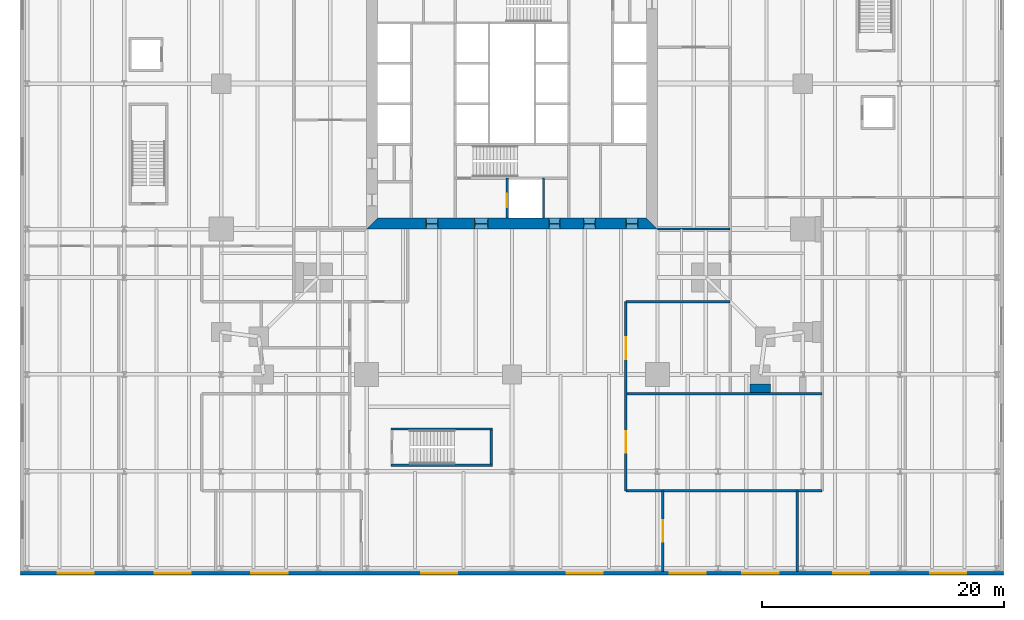
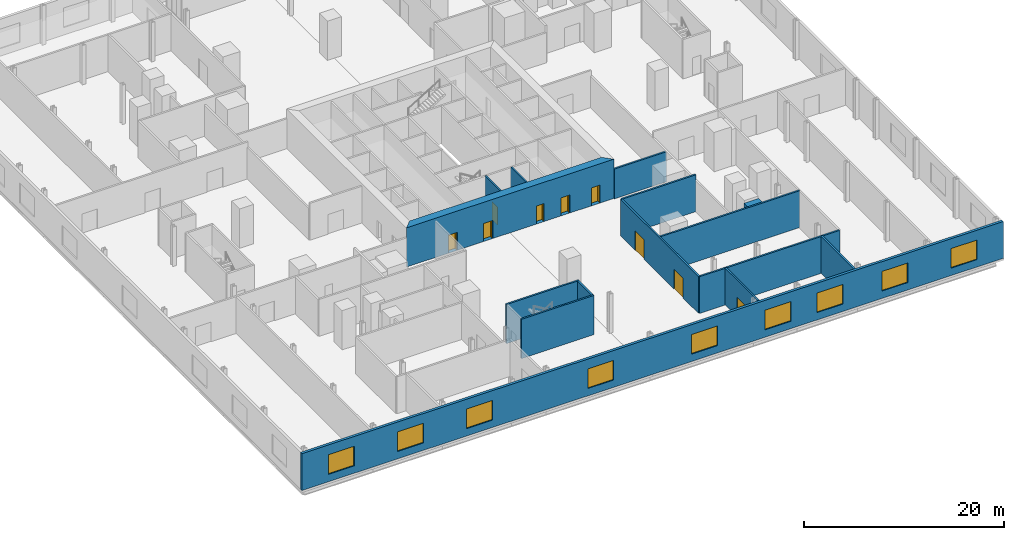
# One storey, part 9 of 16: 15 walls, 9 doors, 9 windows, 18 openings.
"""IFC4 building model written with IfcOpenShell, lengths in metres."""

from ifc_helpers import new_model, si_unit, direction, frame, frame_2d, origin, place, context, subcontext, project, spatial, polyline, rectangle, outline, extrude, material, layer, layer_set, type_object, element, fill, save


model = new_model("IFC4")

# Units and contexts
model_context = context("Model", 3, precision=1e-05, world=origin(), true_north=direction((0.0, 1.0)))
body_context = subcontext(model_context, "Body", "Model", "MODEL_VIEW")
ifc_project = project(units=[si_unit("LENGTHUNIT", "METRE"), si_unit("AREAUNIT", "SQUARE_METRE"), si_unit("VOLUMEUNIT", "CUBIC_METRE"), si_unit("PLANEANGLEUNIT", "RADIAN"), si_unit("MASSUNIT", "GRAM", prefix="KILO")], contexts=[model_context])

# Site, building, storey
site_placement = place(None, origin())
site = spatial("IfcSite", under=ifc_project, at=site_placement, CompositionType="ELEMENT")
building_placement = place(site_placement, origin())
building = spatial("IfcBuilding", under=site, at=building_placement, Name="Fenwick Lantern Interchange", CompositionType="ELEMENT")
storey_placement = place(building_placement, frame((0.0, 0.0, 7.0)))
storey = spatial("IfcBuildingStorey", under=building, at=storey_placement, Name="L01", CompositionType="ELEMENT", Elevation=7.0)

# Wall
ifc_material_1 = material(Name="Fire-rated gypsum board encasement on steel studs, 2 hour", Category="steel")
ifc_layer_1 = layer(ifc_material_1, 1.699951171875)
ifc_layer_set_1 = layer_set([ifc_layer_1], Name="COLUMN PIER 1700")
wall_type_1 = type_object("IfcWallType", Name="COLUMN PIER 1700", PredefinedType="PARTITIONING", material=ifc_layer_set_1)
wall_1_placement = place(storey_placement, frame((45.5, -0.5, 0.0), z_axis=(0.0, 0.0, 1.0), x_axis=(0.0, 1.0, 0.0)))
element("IfcWall", 1, at=wall_1_placement, inside=storey, type_object=wall_type_1, Name="L01/W/PIER/CS5", PredefinedType="PARTITIONING", context=body_context, shape_type="SweptSolid", body=[
    extrude(rectangle(XDim=0.699951171875, YDim=1.699951171875, at=frame_2d((0.35009765625, 0.0))), origin(), (0.0, 0.0, 1.0), 4.5),
])

# Wall, opening, door
ifc_material_2 = material(Name="Concrete masonry ASTM C90 Grade N", Category="masonry")
ifc_layer_2 = layer(ifc_material_2, 0.199951171875)
ifc_layer_set_2 = layer_set([ifc_layer_2], Name="Concrete masonry ASTM C90 Grade N")
wall_type_2 = type_object("IfcWallType", Name="CORE PARTITION 200", PredefinedType="PARTITIONING", material=ifc_layer_set_2)
wall_2_placement = place(storey_placement, frame((24.60009765625, 13.89990234375, 0.0), z_axis=(0.0, 0.0, 1.0), x_axis=(0.0, 1.0, 0.0)))
wall_2 = element("IfcWall", 2, at=wall_2_placement, inside=storey, type_object=wall_type_2, Name="L01/W/CORES/h1", PredefinedType="PARTITIONING", context=body_context, shape_type="SweptSolid", body=[
    extrude(rectangle(XDim=3.300048828125, YDim=0.199951171875, at=frame_2d((1.64990234375, 0.0))), origin(), (0.0, 0.0, 1.0), 4.60009765625),
])
opening_1_placement = place(wall_2_placement, frame((0.89990234375, 0.0, 0.0)))
opening_1 = element("IfcOpeningElement", 3, at=opening_1_placement, cuts=wall_2, Name="Opening LD-FL1", PredefinedType="OPENING", context=body_context, shape_type="SweptSolid", body=[
    extrude(rectangle(XDim=1.10009765625, YDim=2.199951171875, at=frame_2d((0.550048828125, 1.10009765625))), frame((0.0, 0.10986328125, 0.0), z_axis=(0.0, -1.0, 0.0), x_axis=(1.0, 0.0, 0.0)), (0.0, 0.0, 1.0), 0.219970703125),
])
ifc_material_3 = material(Name="Steel door and frame", Category="steel")
door_type_1 = type_object("IfcDoorType", Name="LIFT LANDING DOOR 1100 X 2200", OperationType="DOUBLE_DOOR_SLIDING", PredefinedType="DOOR", material=ifc_material_3)
door_1_placement = place(opening_1_placement, origin())
door_1 = element("IfcDoor", 4, at=door_1_placement, inside=storey, type_object=door_type_1, Name="Lift landing door FL1", OperationType="DOUBLE_DOOR_SLIDING", OverallHeight=2.199951171875, OverallWidth=1.10009765625, PredefinedType="DOOR", context=body_context, shape_type="SweptSolid", body=[
    extrude(rectangle(XDim=1.10009765625, YDim=2.199951171875, at=frame_2d((0.550048828125, 1.10009765625))), frame((0.0, 0.02490234375, 0.0), z_axis=(0.0, -1.0, 0.0), x_axis=(1.0, 0.0, 0.0)), (0.0, 0.0, 1.0), 0.050048828125),
])
fill(opening_1, door_1)

# Wall
wall_3_placement = place(storey_placement, frame((27.60009765625, 13.89990234375, 0.0), z_axis=(0.0, 0.0, 1.0), x_axis=(0.0, 1.0, 0.0)))
element("IfcWall", 5, at=wall_3_placement, inside=storey, type_object=wall_type_2, Name="L01/W/CORES/h2", PredefinedType="PARTITIONING", context=body_context, shape_type="SweptSolid", body=[
    extrude(rectangle(XDim=3.300048828125, YDim=0.199951171875, at=frame_2d((1.64990234375, 0.0))), origin(), (0.0, 0.0, 1.0), 4.60009765625),
])

# Wall, openings, doors
ifc_material_4 = material(Name="Concrete f'c 70 MPa", Category="concrete")
ifc_layer_3 = layer(ifc_material_4, 0.89990234375)
ifc_layer_set_3 = layer_set([ifc_layer_3], Name="CORE WALL 900")
wall_type_3 = type_object("IfcWallType", Name="CORE WALL 900", PredefinedType="SHEAR", material=ifc_layer_set_3)
wall_4_placement = place(storey_placement, frame((13.0, 13.449951171875, 0.0), z_axis=(0.0, 0.0, 1.0), x_axis=(1.0, 0.0, 0.0)))
wall_4 = element("IfcWall", 6, at=wall_4_placement, inside=storey, type_object=wall_type_3, Name="L01/CORE/S", PredefinedType="SHEAR", context=body_context, shape_type="SweptSolid", body=[
    extrude(outline(polyline([(0.0, -0.449951171875), (24.0, -0.449951171875), (23.10009765625, 0.449951171875), (0.89990234375, 0.449951171875), (0.0, -0.449951171875)])), origin(), (0.0, 0.0, 1.0), 4.800048828125),
])
opening_2_placement = place(wall_4_placement, frame((4.89990234375, 0.0, 0.0)))
opening_2 = element("IfcOpeningElement", 7, at=opening_2_placement, cuts=wall_4, Name="Opening L01-D001", PredefinedType="OPENING", context=body_context, shape_type="SweptSolid", body=[
    extrude(rectangle(XDim=1.0, YDim=2.199951171875, at=frame_2d((0.5, 1.10009765625))), frame((0.0, 0.4599609375, 0.0), z_axis=(0.0, -1.0, 0.0), x_axis=(1.0, 0.0, 0.0)), (0.0, 0.0, 1.0), 0.919921875),
])
opening_3_placement = place(wall_4_placement, frame((8.89990234375, 0.0, 0.0)))
opening_3 = element("IfcOpeningElement", 8, at=opening_3_placement, cuts=wall_4, Name="Opening L01-D002", PredefinedType="OPENING", context=body_context, shape_type="SweptSolid", body=[
    extrude(rectangle(XDim=1.10009765625, YDim=2.199951171875, at=frame_2d((0.550048828125, 1.10009765625))), frame((0.0, 0.4599609375, 0.0), z_axis=(0.0, -1.0, 0.0), x_axis=(1.0, 0.0, 0.0)), (0.0, 0.0, 1.0), 0.919921875),
])
opening_4_placement = place(wall_4_placement, frame((15.050048828125, 0.0, 0.0)))
opening_4 = element("IfcOpeningElement", 9, at=opening_4_placement, cuts=wall_4, Name="Opening L01-D004", PredefinedType="OPENING", context=body_context, shape_type="SweptSolid", body=[
    extrude(rectangle(XDim=0.89990234375, YDim=2.199951171875, at=frame_2d((0.449951171875, 1.10009765625))), frame((0.0, 0.4599609375, 0.0), z_axis=(0.0, -1.0, 0.0), x_axis=(1.0, 0.0, 0.0)), (0.0, 0.0, 1.0), 0.919921875),
])
opening_5_placement = place(wall_4_placement, frame((17.89990234375, 0.0, 0.0)))
opening_5 = element("IfcOpeningElement", 10, at=opening_5_placement, cuts=wall_4, Name="Opening L01-D005", PredefinedType="OPENING", context=body_context, shape_type="SweptSolid", body=[
    extrude(rectangle(XDim=1.0, YDim=2.199951171875, at=frame_2d((0.5, 1.10009765625))), frame((0.0, 0.4599609375, 0.0), z_axis=(0.0, -1.0, 0.0), x_axis=(1.0, 0.0, 0.0)), (0.0, 0.0, 1.0), 0.919921875),
])
opening_6_placement = place(wall_4_placement, frame((21.39990234375, 0.0, 0.0)))
opening_6 = element("IfcOpeningElement", 11, at=opening_6_placement, cuts=wall_4, Name="Opening L01-D006", PredefinedType="OPENING", context=body_context, shape_type="SweptSolid", body=[
    extrude(rectangle(XDim=1.0, YDim=2.199951171875, at=frame_2d((0.5, 1.10009765625))), frame((0.0, 0.4599609375, 0.0), z_axis=(0.0, -1.0, 0.0), x_axis=(1.0, 0.0, 0.0)), (0.0, 0.0, 1.0), 0.919921875),
])
door_type_2 = type_object("IfcDoorType", Name="CORE LOBBY DOOR 1000 X 2200", OperationType="SINGLE_SWING_LEFT", PredefinedType="DOOR", material=ifc_material_3)
door_2_placement = place(opening_2_placement, origin())
door_2 = element("IfcDoor", 12, at=door_2_placement, inside=storey, type_object=door_type_2, Name="Core lobby door", OperationType="SINGLE_SWING_LEFT", OverallHeight=2.199951171875, OverallWidth=1.0, PredefinedType="DOOR", context=body_context, shape_type="SweptSolid", body=[
    extrude(rectangle(XDim=1.0, YDim=2.199951171875, at=frame_2d((0.5, 1.10009765625))), frame((0.0, 0.02490234375, 0.0), z_axis=(0.0, -1.0, 0.0), x_axis=(1.0, 0.0, 0.0)), (0.0, 0.0, 1.0), 0.050048828125),
    extrude(outline(polyline([(0.0, 0.0), (0.0400390625, 0.0), (0.0400390625, 2.159912109375), (0.9599609375, 2.159912109375), (0.9599609375, 0.0), (1.0, 0.0), (1.0, 2.199951171875), (0.0, 2.199951171875), (0.0, 0.0)])), frame((0.0, 0.300048828125, 0.0), z_axis=(0.0, -1.0, 0.0), x_axis=(1.0, 0.0, 0.0)), (0.0, 0.0, 1.0), 0.60009765625),
])
fill(opening_2, door_2)
door_type_3 = type_object("IfcDoorType", Name="FIRE LOBBY DOOR 1100 X 2200", OperationType="SINGLE_SWING_LEFT", PredefinedType="DOOR", material=ifc_material_3)
door_3_placement = place(opening_3_placement, origin())
door_3 = element("IfcDoor", 13, at=door_3_placement, inside=storey, type_object=door_type_3, Name="Fire lobby door", OperationType="SINGLE_SWING_LEFT", OverallHeight=2.199951171875, OverallWidth=1.10009765625, PredefinedType="DOOR", context=body_context, shape_type="SweptSolid", body=[
    extrude(rectangle(XDim=1.10009765625, YDim=2.199951171875, at=frame_2d((0.550048828125, 1.10009765625))), frame((0.0, 0.02490234375, 0.0), z_axis=(0.0, -1.0, 0.0), x_axis=(1.0, 0.0, 0.0)), (0.0, 0.0, 1.0), 0.050048828125),
    extrude(outline(polyline([(0.0, 0.0), (0.0400390625, 0.0), (0.0400390625, 2.159912109375), (1.06005859375, 2.159912109375), (1.06005859375, 0.0), (1.10009765625, 0.0), (1.10009765625, 2.199951171875), (0.0, 2.199951171875), (0.0, 0.0)])), frame((0.0, 0.300048828125, 0.0), z_axis=(0.0, -1.0, 0.0), x_axis=(1.0, 0.0, 0.0)), (0.0, 0.0, 1.0), 0.60009765625),
])
fill(opening_3, door_3)
door_type_4 = type_object("IfcDoorType", Name="SERVICE DOOR 900 X 2200", OperationType="SINGLE_SWING_LEFT", PredefinedType="DOOR", material=ifc_material_3)
door_4_placement = place(opening_4_placement, origin())
door_4 = element("IfcDoor", 14, at=door_4_placement, inside=storey, type_object=door_type_4, Name="Service door", OperationType="SINGLE_SWING_LEFT", OverallHeight=2.199951171875, OverallWidth=0.89990234375, PredefinedType="DOOR", context=body_context, shape_type="SweptSolid", body=[
    extrude(rectangle(XDim=0.89990234375, YDim=2.199951171875, at=frame_2d((0.449951171875, 1.10009765625))), frame((0.0, 0.02490234375, 0.0), z_axis=(0.0, -1.0, 0.0), x_axis=(1.0, 0.0, 0.0)), (0.0, 0.0, 1.0), 0.050048828125),
    extrude(outline(polyline([(0.0, 0.0), (0.0400390625, 0.0), (0.0400390625, 2.159912109375), (0.85986328125, 2.159912109375), (0.85986328125, 0.0), (0.89990234375, 0.0), (0.89990234375, 2.199951171875), (0.0, 2.199951171875), (0.0, 0.0)])), frame((0.0, 0.300048828125, 0.0), z_axis=(0.0, -1.0, 0.0), x_axis=(1.0, 0.0, 0.0)), (0.0, 0.0, 1.0), 0.60009765625),
])
fill(opening_4, door_4)
ifc_material_5 = material(Name="Hardwood door and steel frame", Category="steel")
door_type_5 = type_object("IfcDoorType", Name="WC DOOR 1000 X 2200", OperationType="SINGLE_SWING_LEFT", PredefinedType="DOOR", material=ifc_material_5)
door_5_placement = place(opening_5_placement, origin())
door_5 = element("IfcDoor", 15, at=door_5_placement, inside=storey, type_object=door_type_5, Name="Wc door", OperationType="SINGLE_SWING_RIGHT", OverallHeight=2.199951171875, OverallWidth=1.0, PredefinedType="DOOR", context=body_context, shape_type="SweptSolid", body=[
    extrude(rectangle(XDim=1.0, YDim=2.199951171875, at=frame_2d((0.5, 1.10009765625))), frame((0.0, 0.02490234375, 0.0), z_axis=(0.0, -1.0, 0.0), x_axis=(1.0, 0.0, 0.0)), (0.0, 0.0, 1.0), 0.050048828125),
    extrude(outline(polyline([(0.0, 0.0), (0.0400390625, 0.0), (0.0400390625, 2.159912109375), (0.9599609375, 2.159912109375), (0.9599609375, 0.0), (1.0, 0.0), (1.0, 2.199951171875), (0.0, 2.199951171875), (0.0, 0.0)])), frame((0.0, 0.300048828125, 0.0), z_axis=(0.0, -1.0, 0.0), x_axis=(1.0, 0.0, 0.0)), (0.0, 0.0, 1.0), 0.60009765625),
])
fill(opening_5, door_5)
door_6_placement = place(opening_6_placement, origin())
door_6 = element("IfcDoor", 16, at=door_6_placement, inside=storey, type_object=door_type_5, Name="Wc door", OperationType="SINGLE_SWING_RIGHT", OverallHeight=2.199951171875, OverallWidth=1.0, PredefinedType="DOOR", context=body_context, shape_type="SweptSolid", body=[
    extrude(rectangle(XDim=1.0, YDim=2.199951171875, at=frame_2d((0.5, 1.10009765625))), frame((0.0, 0.02490234375, 0.0), z_axis=(0.0, -1.0, 0.0), x_axis=(1.0, 0.0, 0.0)), (0.0, 0.0, 1.0), 0.050048828125),
    extrude(outline(polyline([(0.0, 0.0), (0.0400390625, 0.0), (0.0400390625, 2.159912109375), (0.9599609375, 2.159912109375), (0.9599609375, 0.0), (1.0, 0.0), (1.0, 2.199951171875), (0.0, 2.199951171875), (0.0, 0.0)])), frame((0.0, 0.300048828125, 0.0), z_axis=(0.0, -1.0, 0.0), x_axis=(1.0, 0.0, 0.0)), (0.0, 0.0, 1.0), 0.60009765625),
])
fill(opening_6, door_6)

# Wall, openings, windows
ifc_material_6 = material(Name="Limestone ASTM C568 Classification II", Category="masonry")
ifc_layer_4 = layer(ifc_material_6, 0.074951171875)
ifc_material_7 = material(Name="Mineral wool insulation")
ifc_layer_5 = layer(ifc_material_7, 0.125)
ifc_material_8 = material(Name="Cold-formed galvanised steel studs", Category="steel")
ifc_layer_6 = layer(ifc_material_8, 0.10009765625)
ifc_layer_set_4 = layer_set([ifc_layer_4, ifc_layer_5, ifc_layer_6], Name="Limestone ASTM C568 Classification II")
wall_type_4 = type_object("IfcWallType", Name="LIMESTONE RAINSCREEN WALL 300", PredefinedType="SOLIDWALL", material=ifc_layer_set_4)
wall_5_placement = place(storey_placement, frame((-15.550048828125, -15.39990234375, 0.0), z_axis=(0.0, 0.0, 1.0), x_axis=(1.0, 0.0, 0.0)))
wall_5 = element("IfcWall", 17, at=wall_5_placement, inside=storey, type_object=wall_type_4, Name="L01/EW/S", PredefinedType="SOLIDWALL", context=body_context, shape_type="SweptSolid", body=[
    extrude(rectangle(XDim=81.10009765625, YDim=0.300048828125, at=frame_2d((40.550048828125, 0.0))), origin(), (0.0, 0.0, 1.0), 4.5),
])
opening_7_placement = place(wall_5_placement, frame((3.050048828125, 0.0, 0.89990234375)))
opening_7 = element("IfcOpeningElement", 18, at=opening_7_placement, cuts=wall_5, Name="Opening W1", PredefinedType="OPENING", context=body_context, shape_type="SweptSolid", body=[
    extrude(rectangle(XDim=3.0, YDim=2.39990234375, at=frame_2d((1.5, 1.199951171875))), frame((0.0, 0.159912109375, 0.0), z_axis=(0.0, -1.0, 0.0), x_axis=(1.0, 0.0, 0.0)), (0.0, 0.0, 1.0), 0.320068359375),
])
opening_8_placement = place(wall_5_placement, frame((11.050048828125, 0.0, 0.89990234375)))
opening_8 = element("IfcOpeningElement", 19, at=opening_8_placement, cuts=wall_5, Name="Opening W1", PredefinedType="OPENING", context=body_context, shape_type="SweptSolid", body=[
    extrude(rectangle(XDim=3.0, YDim=2.39990234375, at=frame_2d((1.5, 1.199951171875))), frame((0.0, 0.159912109375, 0.0), z_axis=(0.0, -1.0, 0.0), x_axis=(1.0, 0.0, 0.0)), (0.0, 0.0, 1.0), 0.320068359375),
])
opening_9_placement = place(wall_5_placement, frame((19.050048828125, 0.0, 0.89990234375)))
opening_9 = element("IfcOpeningElement", 20, at=opening_9_placement, cuts=wall_5, Name="Opening W1", PredefinedType="OPENING", context=body_context, shape_type="SweptSolid", body=[
    extrude(rectangle(XDim=3.0, YDim=2.39990234375, at=frame_2d((1.5, 1.199951171875))), frame((0.0, 0.159912109375, 0.0), z_axis=(0.0, -1.0, 0.0), x_axis=(1.0, 0.0, 0.0)), (0.0, 0.0, 1.0), 0.320068359375),
])
opening_10_placement = place(wall_5_placement, frame((33.050048828125, 0.0, 0.89990234375)))
opening_10 = element("IfcOpeningElement", 21, at=opening_10_placement, cuts=wall_5, Name="Opening W1", PredefinedType="OPENING", context=body_context, shape_type="SweptSolid", body=[
    extrude(rectangle(XDim=3.0, YDim=2.39990234375, at=frame_2d((1.5, 1.199951171875))), frame((0.0, 0.159912109375, 0.0), z_axis=(0.0, -1.0, 0.0), x_axis=(1.0, 0.0, 0.0)), (0.0, 0.0, 1.0), 0.320068359375),
])
opening_11_placement = place(wall_5_placement, frame((45.050048828125, 0.0, 0.89990234375)))
opening_11 = element("IfcOpeningElement", 22, at=opening_11_placement, cuts=wall_5, Name="Opening W1", PredefinedType="OPENING", context=body_context, shape_type="SweptSolid", body=[
    extrude(rectangle(XDim=3.0, YDim=2.39990234375, at=frame_2d((1.5, 1.199951171875))), frame((0.0, 0.159912109375, 0.0), z_axis=(0.0, -1.0, 0.0), x_axis=(1.0, 0.0, 0.0)), (0.0, 0.0, 1.0), 0.320068359375),
])
opening_12_placement = place(wall_5_placement, frame((53.550048828125, 0.0, 0.89990234375)))
opening_12 = element("IfcOpeningElement", 23, at=opening_12_placement, cuts=wall_5, Name="Opening W1", PredefinedType="OPENING", context=body_context, shape_type="SweptSolid", body=[
    extrude(rectangle(XDim=3.0, YDim=2.39990234375, at=frame_2d((1.5, 1.199951171875))), frame((0.0, 0.159912109375, 0.0), z_axis=(0.0, -1.0, 0.0), x_axis=(1.0, 0.0, 0.0)), (0.0, 0.0, 1.0), 0.320068359375),
])
opening_13_placement = place(wall_5_placement, frame((59.550048828125, 0.0, 0.89990234375)))
opening_13 = element("IfcOpeningElement", 24, at=opening_13_placement, cuts=wall_5, Name="Opening W1", PredefinedType="OPENING", context=body_context, shape_type="SweptSolid", body=[
    extrude(rectangle(XDim=3.0, YDim=2.39990234375, at=frame_2d((1.5, 1.199951171875))), frame((0.0, 0.159912109375, 0.0), z_axis=(0.0, -1.0, 0.0), x_axis=(1.0, 0.0, 0.0)), (0.0, 0.0, 1.0), 0.320068359375),
])
opening_14_placement = place(wall_5_placement, frame((67.050048828125, 0.0, 0.89990234375)))
opening_14 = element("IfcOpeningElement", 25, at=opening_14_placement, cuts=wall_5, Name="Opening W1", PredefinedType="OPENING", context=body_context, shape_type="SweptSolid", body=[
    extrude(rectangle(XDim=3.0, YDim=2.39990234375, at=frame_2d((1.5, 1.199951171875))), frame((0.0, 0.159912109375, 0.0), z_axis=(0.0, -1.0, 0.0), x_axis=(1.0, 0.0, 0.0)), (0.0, 0.0, 1.0), 0.320068359375),
])
opening_15_placement = place(wall_5_placement, frame((75.050048828125, 0.0, 0.89990234375)))
opening_15 = element("IfcOpeningElement", 26, at=opening_15_placement, cuts=wall_5, Name="Opening W1", PredefinedType="OPENING", context=body_context, shape_type="SweptSolid", body=[
    extrude(rectangle(XDim=3.0, YDim=2.39990234375, at=frame_2d((1.5, 1.199951171875))), frame((0.0, 0.159912109375, 0.0), z_axis=(0.0, -1.0, 0.0), x_axis=(1.0, 0.0, 0.0)), (0.0, 0.0, 1.0), 0.320068359375),
])
ifc_material_9 = material(Name="Aluminium window, clear glass", Category="aluminium")
window_type = type_object("IfcWindowType", Name="PODIUM WINDOW 3000 X 2400", PartitioningType="SINGLE_PANEL", PredefinedType="WINDOW", material=ifc_material_9)
window_1_placement = place(opening_7_placement, origin())
window_1 = element("IfcWindow", 27, at=window_1_placement, inside=storey, type_object=window_type, Name="Podium window", OverallHeight=2.39990234375, OverallWidth=3.0, PartitioningType="SINGLE_PANEL", PredefinedType="WINDOW", context=body_context, shape_type="SweptSolid", body=[
    extrude(rectangle(XDim=3.0, YDim=2.39990234375, at=frame_2d((1.5, 1.199951171875))), frame((0.0, 0.030029296875, 0.0), z_axis=(0.0, -1.0, 0.0), x_axis=(1.0, 0.0, 0.0)), (0.0, 0.0, 1.0), 0.06005859375),
])
fill(opening_7, window_1)
window_2_placement = place(opening_8_placement, origin())
window_2 = element("IfcWindow", 28, at=window_2_placement, inside=storey, type_object=window_type, Name="Podium window", OverallHeight=2.39990234375, OverallWidth=3.0, PartitioningType="SINGLE_PANEL", PredefinedType="WINDOW", context=body_context, shape_type="SweptSolid", body=[
    extrude(rectangle(XDim=3.0, YDim=2.39990234375, at=frame_2d((1.5, 1.199951171875))), frame((0.0, 0.030029296875, 0.0), z_axis=(0.0, -1.0, 0.0), x_axis=(1.0, 0.0, 0.0)), (0.0, 0.0, 1.0), 0.06005859375),
])
fill(opening_8, window_2)
window_3_placement = place(opening_9_placement, origin())
window_3 = element("IfcWindow", 29, at=window_3_placement, inside=storey, type_object=window_type, Name="Podium window", OverallHeight=2.39990234375, OverallWidth=3.0, PartitioningType="SINGLE_PANEL", PredefinedType="WINDOW", context=body_context, shape_type="SweptSolid", body=[
    extrude(rectangle(XDim=3.0, YDim=2.39990234375, at=frame_2d((1.5, 1.199951171875))), frame((0.0, 0.030029296875, 0.0), z_axis=(0.0, -1.0, 0.0), x_axis=(1.0, 0.0, 0.0)), (0.0, 0.0, 1.0), 0.06005859375),
])
fill(opening_9, window_3)
window_4_placement = place(opening_10_placement, origin())
window_4 = element("IfcWindow", 30, at=window_4_placement, inside=storey, type_object=window_type, Name="Podium window", OverallHeight=2.39990234375, OverallWidth=3.0, PartitioningType="SINGLE_PANEL", PredefinedType="WINDOW", context=body_context, shape_type="SweptSolid", body=[
    extrude(rectangle(XDim=3.0, YDim=2.39990234375, at=frame_2d((1.5, 1.199951171875))), frame((0.0, 0.030029296875, 0.0), z_axis=(0.0, -1.0, 0.0), x_axis=(1.0, 0.0, 0.0)), (0.0, 0.0, 1.0), 0.06005859375),
])
fill(opening_10, window_4)
window_5_placement = place(opening_11_placement, origin())
window_5 = element("IfcWindow", 31, at=window_5_placement, inside=storey, type_object=window_type, Name="Podium window", OverallHeight=2.39990234375, OverallWidth=3.0, PartitioningType="SINGLE_PANEL", PredefinedType="WINDOW", context=body_context, shape_type="SweptSolid", body=[
    extrude(rectangle(XDim=3.0, YDim=2.39990234375, at=frame_2d((1.5, 1.199951171875))), frame((0.0, 0.030029296875, 0.0), z_axis=(0.0, -1.0, 0.0), x_axis=(1.0, 0.0, 0.0)), (0.0, 0.0, 1.0), 0.06005859375),
])
fill(opening_11, window_5)
window_6_placement = place(opening_12_placement, origin())
window_6 = element("IfcWindow", 32, at=window_6_placement, inside=storey, type_object=window_type, Name="Podium window", OverallHeight=2.39990234375, OverallWidth=3.0, PartitioningType="SINGLE_PANEL", PredefinedType="WINDOW", context=body_context, shape_type="SweptSolid", body=[
    extrude(rectangle(XDim=3.0, YDim=2.39990234375, at=frame_2d((1.5, 1.199951171875))), frame((0.0, 0.030029296875, 0.0), z_axis=(0.0, -1.0, 0.0), x_axis=(1.0, 0.0, 0.0)), (0.0, 0.0, 1.0), 0.06005859375),
])
fill(opening_12, window_6)
window_7_placement = place(opening_13_placement, origin())
window_7 = element("IfcWindow", 33, at=window_7_placement, inside=storey, type_object=window_type, Name="Podium window", OverallHeight=2.39990234375, OverallWidth=3.0, PartitioningType="SINGLE_PANEL", PredefinedType="WINDOW", context=body_context, shape_type="SweptSolid", body=[
    extrude(rectangle(XDim=3.0, YDim=2.39990234375, at=frame_2d((1.5, 1.199951171875))), frame((0.0, 0.030029296875, 0.0), z_axis=(0.0, -1.0, 0.0), x_axis=(1.0, 0.0, 0.0)), (0.0, 0.0, 1.0), 0.06005859375),
])
fill(opening_13, window_7)
window_8_placement = place(opening_14_placement, origin())
window_8 = element("IfcWindow", 34, at=window_8_placement, inside=storey, type_object=window_type, Name="Podium window", OverallHeight=2.39990234375, OverallWidth=3.0, PartitioningType="SINGLE_PANEL", PredefinedType="WINDOW", context=body_context, shape_type="SweptSolid", body=[
    extrude(rectangle(XDim=3.0, YDim=2.39990234375, at=frame_2d((1.5, 1.199951171875))), frame((0.0, 0.030029296875, 0.0), z_axis=(0.0, -1.0, 0.0), x_axis=(1.0, 0.0, 0.0)), (0.0, 0.0, 1.0), 0.06005859375),
])
fill(opening_14, window_8)
window_9_placement = place(opening_15_placement, origin())
window_9 = element("IfcWindow", 35, at=window_9_placement, inside=storey, type_object=window_type, Name="Podium window", OverallHeight=2.39990234375, OverallWidth=3.0, PartitioningType="SINGLE_PANEL", PredefinedType="WINDOW", context=body_context, shape_type="SweptSolid", body=[
    extrude(rectangle(XDim=3.0, YDim=2.39990234375, at=frame_2d((1.5, 1.199951171875))), frame((0.0, 0.030029296875, 0.0), z_axis=(0.0, -1.0, 0.0), x_axis=(1.0, 0.0, 0.0)), (0.0, 0.0, 1.0), 0.06005859375),
])
fill(opening_15, window_9)

# Wall, openings, doors
ifc_material_10 = material(Name="Gypsum board on steel studs, 1 hour", Category="steel")
ifc_layer_7 = layer(ifc_material_10, 0.199951171875)
ifc_layer_set_5 = layer_set([ifc_layer_7], Name="ROOM WALL 200")
wall_type_5 = type_object("IfcWallType", Name="ROOM WALL 200", PredefinedType="PARTITIONING", material=ifc_layer_set_5)
wall_6_placement = place(storey_placement, frame((34.39990234375, -8.60009765625, 0.0), z_axis=(0.0, 0.0, 1.0), x_axis=(0.0, 1.0, 0.0)))
wall_6 = element("IfcWall", 36, at=wall_6_placement, inside=storey, type_object=wall_type_5, Name="L01/W/POD/X34.4-1", PredefinedType="PARTITIONING", context=body_context, shape_type="SweptSolid", body=[
    extrude(rectangle(XDim=15.60009765625, YDim=0.199951171875, at=frame_2d((7.800048828125, 0.0))), origin(), (0.0, 0.0, 1.0), 4.5),
])
opening_16_placement = place(wall_6_placement, frame((3.125, 0.0, 0.0)))
opening_16 = element("IfcOpeningElement", 37, at=opening_16_placement, cuts=wall_6, Name="Opening L01-D031", PredefinedType="OPENING", context=body_context, shape_type="SweptSolid", body=[
    extrude(rectangle(XDim=1.800048828125, YDim=2.39990234375, at=frame_2d((0.89990234375, 1.199951171875))), frame((0.0, 0.10986328125, 0.0), z_axis=(0.0, -1.0, 0.0), x_axis=(1.0, 0.0, 0.0)), (0.0, 0.0, 1.0), 0.219970703125),
])
opening_17_placement = place(wall_6_placement, frame((10.875, 0.0, 0.0)))
opening_17 = element("IfcOpeningElement", 38, at=opening_17_placement, cuts=wall_6, Name="Opening L01-D032", PredefinedType="OPENING", context=body_context, shape_type="SweptSolid", body=[
    extrude(rectangle(XDim=1.800048828125, YDim=2.39990234375, at=frame_2d((0.89990234375, 1.199951171875))), frame((0.0, 0.10986328125, 0.0), z_axis=(0.0, -1.0, 0.0), x_axis=(1.0, 0.0, 0.0)), (0.0, 0.0, 1.0), 0.219970703125),
])
door_type_6 = type_object("IfcDoorType", Name="ROOM DOOR PAIR 1800 X 2400", OperationType="DOUBLE_DOOR_SINGLE_SWING", PredefinedType="DOOR", material=ifc_material_3)
door_7_placement = place(opening_16_placement, origin())
door_7 = element("IfcDoor", 39, at=door_7_placement, inside=storey, type_object=door_type_6, Name="Room door pair", OperationType="DOUBLE_DOOR_SINGLE_SWING", OverallHeight=2.39990234375, OverallWidth=1.800048828125, PredefinedType="DOOR", context=body_context, shape_type="SweptSolid", body=[
    extrude(rectangle(XDim=1.800048828125, YDim=2.39990234375, at=frame_2d((0.89990234375, 1.199951171875))), frame((0.0, 0.02490234375, 0.0), z_axis=(0.0, -1.0, 0.0), x_axis=(1.0, 0.0, 0.0)), (0.0, 0.0, 1.0), 0.050048828125),
])
fill(opening_16, door_7)
door_8_placement = place(opening_17_placement, origin())
door_8 = element("IfcDoor", 40, at=door_8_placement, inside=storey, type_object=door_type_6, Name="Room door pair", OperationType="DOUBLE_DOOR_SINGLE_SWING", OverallHeight=2.39990234375, OverallWidth=1.800048828125, PredefinedType="DOOR", context=body_context, shape_type="SweptSolid", body=[
    extrude(rectangle(XDim=1.800048828125, YDim=2.39990234375, at=frame_2d((0.89990234375, 1.199951171875))), frame((0.0, 0.02490234375, 0.0), z_axis=(0.0, -1.0, 0.0), x_axis=(1.0, 0.0, 0.0)), (0.0, 0.0, 1.0), 0.050048828125),
])
fill(opening_17, door_8)

# Wall, opening, door
wall_7_placement = place(storey_placement, frame((37.449951171875, -15.25, 0.0), z_axis=(0.0, 0.0, 1.0), x_axis=(0.0, 1.0, 0.0)))
wall_7 = element("IfcWall", 41, at=wall_7_placement, inside=storey, type_object=wall_type_5, Name="L01/W/POD/X37.45-1", PredefinedType="PARTITIONING", context=body_context, shape_type="SweptSolid", body=[
    extrude(rectangle(XDim=6.64990234375, YDim=0.199951171875, at=frame_2d((3.324951171875, 0.0))), origin(), (0.0, 0.0, 1.0), 4.5),
])
opening_18_placement = place(wall_7_placement, frame((2.425048828125, 0.0, 0.0)))
opening_18 = element("IfcOpeningElement", 42, at=opening_18_placement, cuts=wall_7, Name="Opening L01-D030", PredefinedType="OPENING", context=body_context, shape_type="SweptSolid", body=[
    extrude(rectangle(XDim=1.800048828125, YDim=2.39990234375, at=frame_2d((0.89990234375, 1.199951171875))), frame((0.0, 0.10986328125, 0.0), z_axis=(0.0, -1.0, 0.0), x_axis=(1.0, 0.0, 0.0)), (0.0, 0.0, 1.0), 0.219970703125),
])
door_9_placement = place(opening_18_placement, origin())
door_9 = element("IfcDoor", 43, at=door_9_placement, inside=storey, type_object=door_type_6, Name="Room door pair", OperationType="DOUBLE_DOOR_SINGLE_SWING", OverallHeight=2.39990234375, OverallWidth=1.800048828125, PredefinedType="DOOR", context=body_context, shape_type="SweptSolid", body=[
    extrude(rectangle(XDim=1.800048828125, YDim=2.39990234375, at=frame_2d((0.89990234375, 1.199951171875))), frame((0.0, 0.02490234375, 0.0), z_axis=(0.0, -1.0, 0.0), x_axis=(1.0, 0.0, 0.0)), (0.0, 0.0, 1.0), 0.050048828125),
])
fill(opening_18, door_9)

# Walls
wall_8_placement = place(storey_placement, frame((48.550048828125, -15.25, 0.0), z_axis=(0.0, 0.0, 1.0), x_axis=(0.0, 1.0, 0.0)))
element("IfcWall", 44, at=wall_8_placement, inside=storey, type_object=wall_type_5, Name="L01/W/POD/X48.55-1", PredefinedType="PARTITIONING", context=body_context, shape_type="SweptSolid", body=[
    extrude(rectangle(XDim=6.64990234375, YDim=0.199951171875, at=frame_2d((3.324951171875, 0.0))), origin(), (0.0, 0.0, 1.0), 4.5),
])
for number, where, z_axis, x_axis, name in (
    (45, (34.39990234375, -8.60009765625, 0.0), (0.0, 0.0, 1.0), (1.0, 0.0, 0.0), "L01/W/POD/Y-8.6-2"),
    (46, (34.39990234375, -0.60009765625, 0.0), (0.0, 0.0, 1.0), (1.0, 0.0, 0.0), "L01/W/POD/Y-0.6-2"),
):
    element("IfcWall", number, at=place(storey_placement, frame(where, z_axis=z_axis, x_axis=x_axis)), inside=storey, type_object=wall_type_5, Name=name, PredefinedType="PARTITIONING", context=body_context, shape_type="SweptSolid", body=[
        extrude(rectangle(XDim=16.2001953125, YDim=0.199951171875, at=frame_2d((8.10009765625, 0.0))), origin(), (0.0, 0.0, 1.0), 4.5),
    ])
wall_9_placement = place(storey_placement, frame((34.39990234375, 7.0, 0.0), z_axis=(0.0, 0.0, 1.0), x_axis=(1.0, 0.0, 0.0)))
element("IfcWall", 47, at=wall_9_placement, inside=storey, type_object=wall_type_5, Name="L01/W/POD/Y7-2", PredefinedType="PARTITIONING", context=body_context, shape_type="SweptSolid", body=[
    extrude(rectangle(XDim=8.60009765625, YDim=0.199951171875, at=frame_2d((4.300048828125, 0.0))), origin(), (0.0, 0.0, 1.0), 4.5),
])
wall_10_placement = place(storey_placement, frame((37.0, 13.0, 0.0), z_axis=(0.0, 0.0, 1.0), x_axis=(1.0, 0.0, 0.0)))
element("IfcWall", 48, at=wall_10_placement, inside=storey, type_object=wall_type_5, Name="L01/W/POD/Y13-2", PredefinedType="PARTITIONING", context=body_context, shape_type="SweptSolid", body=[
    extrude(rectangle(XDim=6.0, YDim=0.199951171875, at=frame_2d((3.0, 0.0))), origin(), (0.0, 0.0, 1.0), 3.652587890625),
])
ifc_material_11 = material(Name="Reinforced concrete masonry ASTM C90 Grade N", Category="masonry")
ifc_layer_8 = layer(ifc_material_11, 0.199951171875)
ifc_layer_set_6 = layer_set([ifc_layer_8], Name="Reinforced concrete masonry ASTM C90 Grade N")
wall_type_6 = type_object("IfcWallType", Name="STAIR ENCLOSURE 200", PredefinedType="SOLIDWALL", material=ifc_layer_set_6)
wall_11_placement = place(storey_placement, frame((15.0, -6.5, 0.0), z_axis=(0.0, 0.0, 1.0), x_axis=(1.0, 0.0, 0.0)))
element("IfcWall", 49, at=wall_11_placement, inside=storey, type_object=wall_type_6, Name="L01/W/PS2/S", PredefinedType="SOLIDWALL", context=body_context, shape_type="SweptSolid", body=[
    extrude(rectangle(XDim=8.39990234375, YDim=0.199951171875, at=frame_2d((4.199951171875, 0.0))), origin(), (0.0, 0.0, 1.0), 4.800048828125),
])
wall_12_placement = place(storey_placement, frame((23.300048828125, -6.39990234375, 0.0), z_axis=(0.0, 0.0, 1.0), x_axis=(0.0, 1.0, 0.0)))
element("IfcWall", 50, at=wall_12_placement, inside=storey, type_object=wall_type_6, Name="L01/W/PS2/E", PredefinedType="SOLIDWALL", context=body_context, shape_type="SweptSolid", body=[
    extrude(rectangle(XDim=2.7998046875, YDim=0.199951171875, at=frame_2d((1.39990234375, 0.0))), origin(), (0.0, 0.0, 1.0), 4.800048828125),
])
wall_13_placement = place(storey_placement, frame((23.39990234375, -3.5, 0.0), z_axis=(0.0, 0.0, 1.0), x_axis=(-1.0, 0.0, 0.0)))
element("IfcWall", 51, at=wall_13_placement, inside=storey, type_object=wall_type_6, Name="L01/W/PS2/N", PredefinedType="SOLIDWALL", context=body_context, shape_type="SweptSolid", body=[
    extrude(rectangle(XDim=8.39990234375, YDim=0.199951171875, at=frame_2d((4.199951171875, 0.0))), origin(), (0.0, 0.0, 1.0), 4.800048828125),
])

save(model, "model.ifc")
